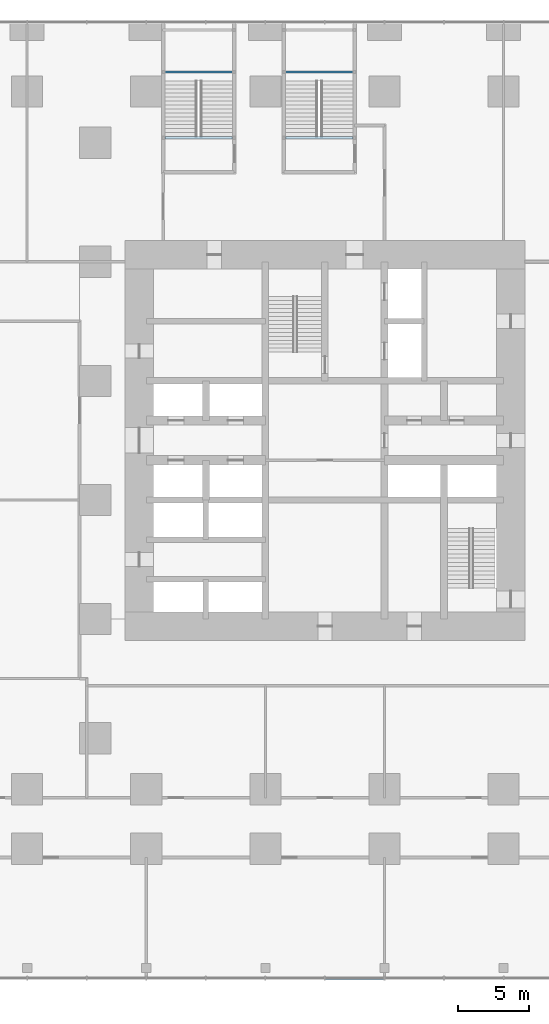
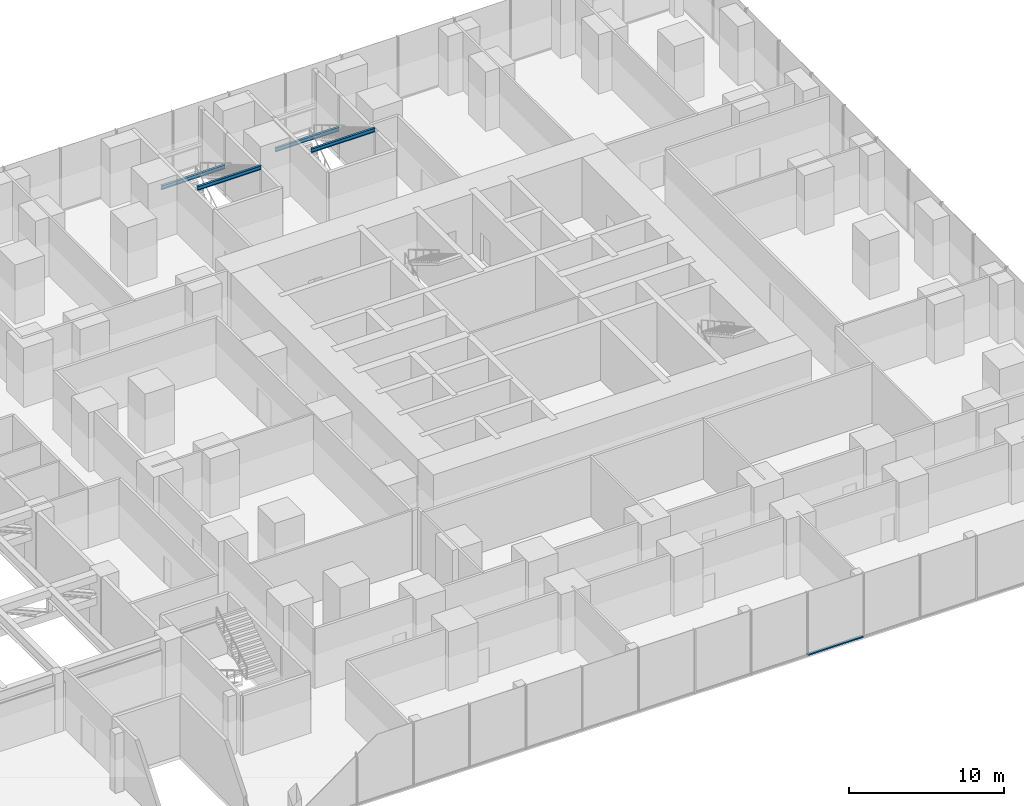
# One storey, part 18 of 33: 4 beams, 1 member, 1 element without a shape of its own.
"""IFC4 building model written with IfcOpenShell, lengths in metres."""

from ifc_helpers import new_model, si_unit, direction, frame, origin, origin_2d, place, context, subcontext, project, spatial, rectangle, i_section, extrude, material, material_profile, profile_set, type_object, element, aggregate, save


model = new_model("IFC4")

# Units and contexts
model_context = context("Model", 3, precision=1e-05, world=origin(), true_north=direction((0.0, 1.0)))
body_context = subcontext(model_context, "Body", "Model", "MODEL_VIEW")
ifc_project = project(units=[si_unit("LENGTHUNIT", "METRE"), si_unit("AREAUNIT", "SQUARE_METRE"), si_unit("VOLUMEUNIT", "CUBIC_METRE"), si_unit("PLANEANGLEUNIT", "RADIAN"), si_unit("MASSUNIT", "GRAM", prefix="KILO")], contexts=[model_context])

# Site, building, storey
site_placement = place(None, origin())
site = spatial("IfcSite", under=ifc_project, at=site_placement, CompositionType="ELEMENT")
building_placement = place(site_placement, origin())
building = spatial("IfcBuilding", under=site, at=building_placement, Name="Dunama Terrace Hotel", CompositionType="ELEMENT")
storey_placement = place(building_placement, frame((0.0, 0.0, 12.0)))
storey = spatial("IfcBuildingStorey", under=building, at=storey_placement, Name="L02", CompositionType="ELEMENT", Elevation=12.0)

# Curtain wall, member
ifc_material_1 = material(Name="Aluminium curtain wall system", Category="aluminium")
curtain_wall_type = type_object("IfcCurtainWallType", Name="Podium storefront glazing CW-E", PredefinedType="NOTDEFINED", material=ifc_material_1)
curtain_wall_placement = place(storey_placement, origin())
curtain_wall = element("IfcCurtainWall", 1, at=curtain_wall_placement, inside=storey, type_object=curtain_wall_type, Name="Podium storefront glazing CW-E L02", PredefinedType="NOTDEFINED")
ifc_material_2 = material(Name="Aluminium transom", Category="aluminium")
ifc_material_profile_1 = material_profile(ifc_material_2, rectangle(XDim=0.199951171875, YDim=0.090087890625, at=origin_2d()), Name="CWE TRANSOM 200X90")
ifc_profile_set_1 = profile_set([ifc_material_profile_1], Name="Aluminium transom")
member_type = type_object("IfcMemberType", Name="CWE transom 200x90", PredefinedType="USERDEFINED", material=ifc_profile_set_1)
member_placement = place(storey_placement, frame((29.43994140625, -8.52490234375, 0.044921875), z_axis=(1.0, 0.0, 0.0), x_axis=(0.0, 1.0, 0.0)))
member = element("IfcMember", 2, at=member_placement, type_object=member_type, Name="CWE transom", ObjectType="TRANSOM", PredefinedType="USERDEFINED", context=body_context, shape_type="SweptSolid", body=[
    extrude(rectangle(XDim=0.199951171875, YDim=0.090087890625, at=origin_2d()), origin(), (0.0, 0.0, 1.0), 4.1201171875),
])
aggregate(curtain_wall, [member])

# Beams
ifc_material_3 = material(Name="Steel S355", Category="steel")
ifc_material_profile_2 = material_profile(ifc_material_3, i_section(OverallWidth=0.1650390625, OverallDepth=0.303466796875, WebThickness=0.006103515625, FlangeThickness=0.01025390625, FilletRadius=0.0087890625, at=origin_2d()), Name="UB 305x165x40")
ifc_profile_set_2 = profile_set([ifc_material_profile_2], Name="Steel S355")
beam_type = type_object("IfcBeamType", Name="Stair beam UB 305x165x40", PredefinedType="BEAM", material=ifc_profile_set_2)
for number, where, z_axis, x_axis, name in (
    (3, (18.125, 50.742431640625, 4.848388671875), (1.0, 0.0, 0.0), (0.0, 1.0, 0.0), "Stair trimmer P5 at L03"),
    (4, (18.125, 55.387451171875, 2.098388671875), (1.0, 0.0, 0.0), (0.0, 1.0, 0.0), "Stair landing beam P5 L02 front"),
    (5, (26.625, 50.742431640625, 4.848388671875), (1.0, 0.0, 0.0), (0.0, 1.0, 0.0), "Stair trimmer P6 at L03"),
    (6, (26.625, 55.387451171875, 2.098388671875), (1.0, 0.0, 0.0), (0.0, 1.0, 0.0), "Stair landing beam P6 L02 front"),
):
    element("IfcBeam", number, at=place(storey_placement, frame(where, z_axis=z_axis, x_axis=x_axis)), inside=storey, type_object=beam_type, Name=name, PredefinedType="BEAM", context=body_context, shape_type="SweptSolid", body=[
        extrude(i_section(OverallWidth=0.1650390625, OverallDepth=0.303466796875, WebThickness=0.006103515625, FlangeThickness=0.01025390625, FilletRadius=0.0087890625, at=origin_2d()), origin(), (0.0, 0.0, 1.0), 4.75),
    ])

save(model, "model.ifc")
